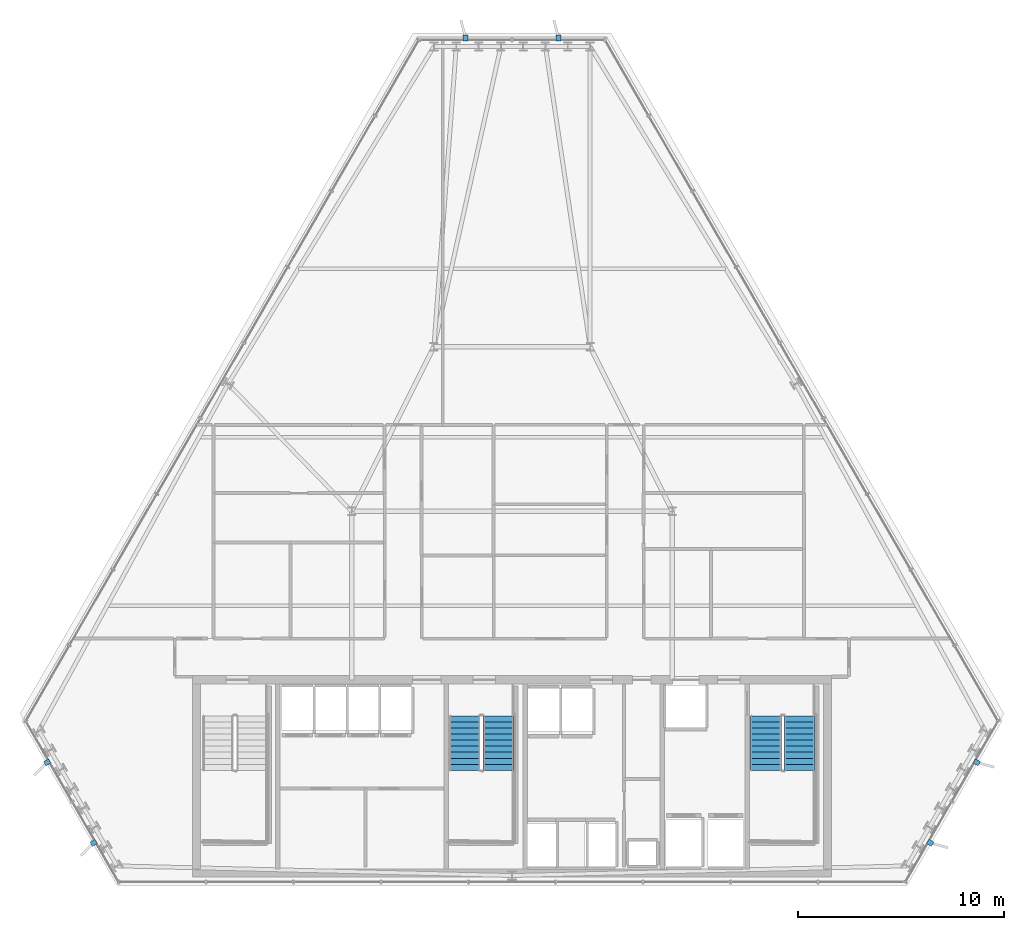
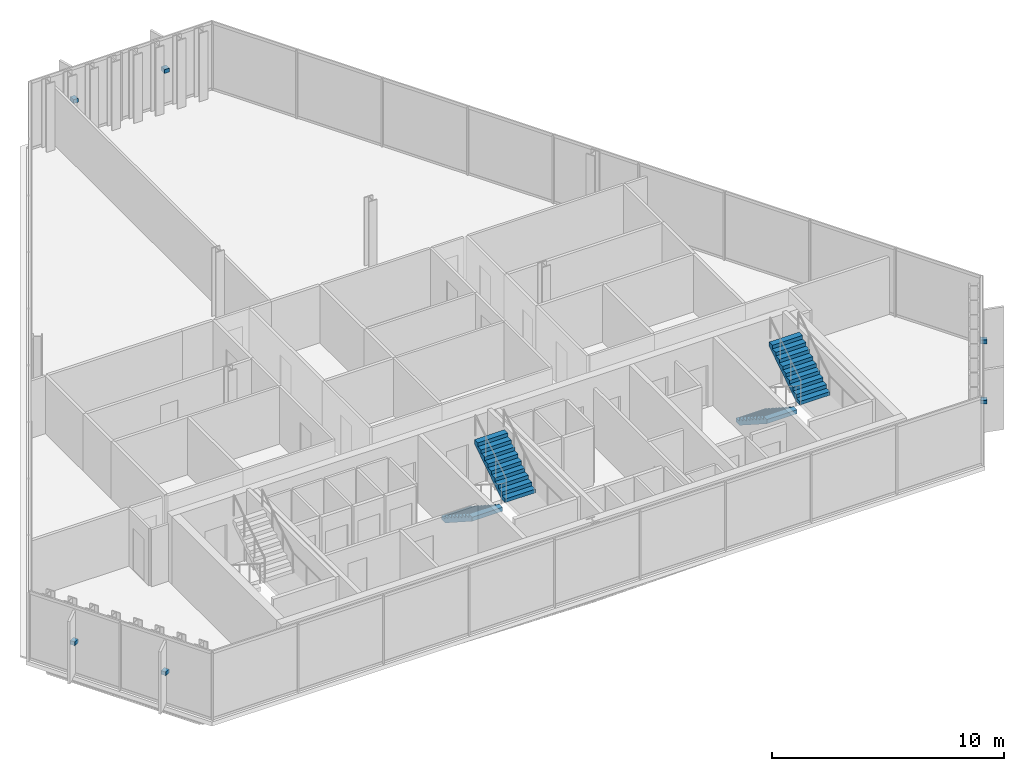
# One storey, part 30 of 34: 6 discrete accessories, 4 stair flights, 2 elements without a shape of their own.
"""IFC4 building model written with IfcOpenShell, lengths in metres."""

import ifcopenshell
import ifcopenshell.guid

model = None  # the IFC model being written
_history = None  # IfcOwnerHistory: only IFC2X3 demands one
_inside = {}  # id of a spatial element -> (the spatial element, [elements in it])
_under = {}  # id of a project, library or spatial element -> (it, [spatial elements below it])
_declared = {}  # id of a project -> (the project, [libraries it declares])
_typed = {}  # id of a type object -> (the type object, [elements of that type])
_made_of = {}  # id of a material, layer set ... -> (it, [elements and type objects made of it])


def new_model(schema):
    """Start an empty IFC model of exactly this schema.

    Asked for "IFC4X3", IfcOpenShell would pick the latest addendum, in which some entities
    have other attributes; the version numbers below select the first issue.
    IFC2X3 requires an IfcOwnerHistory on every rooted entity: one is made here for all.
    """
    global model, _history
    if schema == "IFC4X3":
        model = ifcopenshell.file(schema_version=(4, 3, 0, 0))
    else:
        model = ifcopenshell.file(schema=schema)
    _inside.clear()
    _under.clear()
    _declared.clear()
    _typed.clear()
    _made_of.clear()
    _history = None
    if model.schema == "IFC2X3":
        org = make("IfcOrganization", Name="unknown")
        user = make(
            "IfcPersonAndOrganization",
            ThePerson=make("IfcPerson", FamilyName="unknown"),
            TheOrganization=org,
        )
        app = make(
            "IfcApplication",
            ApplicationDeveloper=org,
            Version="unknown",
            ApplicationFullName="unknown",
            ApplicationIdentifier="unknown",
        )
        _history = make(
            "IfcOwnerHistory",
            OwningUser=user,
            OwningApplication=app,
            ChangeAction="ADDED",
            CreationDate=0,
        )
    return model


def make(cls, **values):
    """One entity of the class cls with the attributes given. An attribute that is None is left unset."""
    return model.create_entity(
        cls, **{name: value for name, value in values.items() if value is not None}
    )


def rooted(cls, **values):
    """An entity with a GlobalId (a new one), such as an element, a storey or a relation."""
    return make(cls, GlobalId=ifcopenshell.guid.new(), OwnerHistory=_history, **values)


def si_unit(unit_type, name, prefix=None):
    """IfcSIUnit, for example si_unit("LENGTHUNIT", "METRE", prefix="MILLI")."""
    return make("IfcSIUnit", UnitType=unit_type, Prefix=prefix, Name=name)


def assignment(units):
    """IfcUnitAssignment: the units of a project."""
    return None if units is None else make("IfcUnitAssignment", Units=units)


def point(xyz):
    """IfcCartesianPoint."""
    return None if xyz is None else make("IfcCartesianPoint", Coordinates=xyz)


def direction(xyz):
    """IfcDirection."""
    return None if xyz is None else make("IfcDirection", DirectionRatios=xyz)


def frame(location, z_axis=None, x_axis=None):
    """IfcAxis2Placement3D, a coordinate frame: its origin and axes. An axis left out is left unset."""
    return make(
        "IfcAxis2Placement3D",
        Location=point(location),
        Axis=direction(z_axis),
        RefDirection=direction(x_axis),
    )


def frame_2d(location, x_axis=None):
    """IfcAxis2Placement2D, a coordinate frame in the plane: its origin and x axis."""
    return make(
        "IfcAxis2Placement2D", Location=point(location), RefDirection=direction(x_axis)
    )


def origin():
    """The frame at (0, 0, 0) with its axes left unset."""
    return frame((0.0, 0.0, 0.0))


def origin_2d():
    """The frame at (0, 0) in the plane with its x axis left unset."""
    return frame_2d((0.0, 0.0))


def place(relative_to, where):
    """IfcLocalPlacement: puts the frame where relative to a parent placement (None: the world)."""
    return make(
        "IfcLocalPlacement", PlacementRelTo=relative_to, RelativePlacement=where
    )


def context(
    kind, dimensions, precision=None, world=None, true_north=None, identifier=None
):
    """IfcGeometricRepresentationContext, for example the 3D "Model" context."""
    return make(
        "IfcGeometricRepresentationContext",
        ContextIdentifier=identifier,
        ContextType=kind,
        CoordinateSpaceDimension=dimensions,
        Precision=precision,
        WorldCoordinateSystem=world,
        TrueNorth=true_north,
    )


def subcontext(parent, identifier, kind, view, scale=None):
    """IfcGeometricRepresentationSubContext, for example "Body" below "Model"."""
    return make(
        "IfcGeometricRepresentationSubContext",
        ContextIdentifier=identifier,
        ContextType=kind,
        ParentContext=parent,
        TargetScale=scale,
        TargetView=view,
    )


def project(units=None, contexts=None):
    """IfcProject with its units and contexts."""
    return rooted(
        "IfcProject",
        Name="project",
        RepresentationContexts=contexts,
        UnitsInContext=assignment(units),
    )


def spatial(cls, under=None, at=None, **own):
    """A site, building, storey or space (cls), placed at a placement, below another one or the project."""
    s = rooted(cls, ObjectPlacement=at, **own)
    if under is not None:
        _under.setdefault(under.id(), (under, []))[1].append(s)
    return s


def polyline(points):
    """IfcPolyline through the points."""
    return make("IfcPolyline", Points=[point(p) for p in points])


def profile(cls, at=None, kind="AREA", **sizes):
    """A parametric profile (cls). Its sizes go by their IFC names, for example OverallWidth=200.0."""
    return make(cls, ProfileType=kind, Position=at, **sizes)


def rectangle(**sizes):
    """IfcRectangleProfileDef."""
    return profile("IfcRectangleProfileDef", **sizes)


def outline(outer, holes=None, kind="AREA"):
    """IfcArbitraryClosedProfileDef: a profile drawn as a closed curve; with holes, ...WithVoids."""
    if holes is None:
        return make("IfcArbitraryClosedProfileDef", ProfileType=kind, OuterCurve=outer)
    return make(
        "IfcArbitraryProfileDefWithVoids",
        ProfileType=kind,
        OuterCurve=outer,
        InnerCurves=holes,
    )


def extrude(swept, where, along, depth):
    """IfcExtrudedAreaSolid: the profile swept, set in the frame where, extruded along a direction by depth."""
    return make(
        "IfcExtrudedAreaSolid",
        SweptArea=swept,
        Position=where,
        ExtrudedDirection=direction(along),
        Depth=depth,
    )


def shape(context_of_items, identifier, shape_type, items):
    """IfcShapeRepresentation: the items that make up one representation, for example the "Body"."""
    return make(
        "IfcShapeRepresentation",
        ContextOfItems=context_of_items,
        RepresentationIdentifier=identifier,
        RepresentationType=shape_type,
        Items=items,
    )


def material(Name=None, Category=None):
    """IfcMaterial."""
    return make("IfcMaterial", Name=Name, Category=Category)


def made_of(thing, what):
    """Note that an element or type object is made of a material, layer set ...; save() writes the relation."""
    if what is not None:
        _made_of.setdefault(what.id(), (what, []))[1].append(thing)
    return thing


def type_object(cls, material=None, **own):
    """A type object (cls), such as IfcWallType, which elements share."""
    return made_of(rooted(cls, **own), material)


def element(
    cls,
    number,
    at=None,
    inside=None,
    cuts=None,
    type_object=None,
    material=None,
    context=None,
    identifier="Body",
    shape_type=None,
    held_by="IfcProductDefinitionShape",
    body=None,
    shapes=None,
    **own,
):
    """One element of the class cls, such as IfcWall. Its Tag is "e" and its number.

    at: its placement. inside: the storey or other place that contains it. cuts: it is an
    opening in that element (IfcRelVoidsElement). A single representation is given by context,
    identifier, shape_type and body (its items); several are given by shapes. held_by: the class
    of the entity that holds the representations. save() writes the other relations.
    """
    e = rooted(cls, Tag="e%d" % number, ObjectPlacement=at, **own)
    if body is not None:
        shapes = [shape(context, identifier, shape_type, body)]
    if shapes is not None:
        e.Representation = make(held_by, Representations=shapes)
    if inside is not None:
        _inside.setdefault(inside.id(), (inside, []))[1].append(e)
    if cuts is not None:
        rooted(
            "IfcRelVoidsElement", RelatingBuildingElement=cuts, RelatedOpeningElement=e
        )
    if type_object is not None:
        _typed.setdefault(type_object.id(), (type_object, []))[1].append(e)
    return made_of(e, material)


def aggregate(whole, parts):
    """IfcRelAggregates: a whole, such as a stair, and the parts it consists of."""
    return rooted("IfcRelAggregates", RelatingObject=whole, RelatedObjects=parts)


def save(model, path):
    """Write the relations noted so far, then the file.

    IfcRelAggregates (storeys below a building ...), IfcRelContainedInSpatialStructure (elements
    in a storey), IfcRelDefinesByType, IfcRelAssociatesMaterial and IfcRelDeclares: one each for
    every whole, place, type object, material and project.
    """
    for whole, parts in _under.values():
        aggregate(whole, parts)
    for where, things in _inside.values():
        rooted(
            "IfcRelContainedInSpatialStructure",
            RelatedElements=things,
            RelatingStructure=where,
        )
    for kind, things in _typed.values():
        rooted("IfcRelDefinesByType", RelatedObjects=things, RelatingType=kind)
    for what, things in _made_of.values():
        rooted("IfcRelAssociatesMaterial", RelatedObjects=things, RelatingMaterial=what)
    for by, libraries in _declared.values():
        rooted("IfcRelDeclares", RelatingContext=by, RelatedDefinitions=libraries)
    model.write(path)


model = new_model("IFC4")

# Units and contexts
model_context = context("Model", 3, precision=1e-05, world=origin(), true_north=direction((0.0, 1.0)))
body_context = subcontext(model_context, "Body", "Model", "MODEL_VIEW")
ifc_project = project(units=[si_unit("LENGTHUNIT", "METRE"), si_unit("AREAUNIT", "SQUARE_METRE"), si_unit("VOLUMEUNIT", "CUBIC_METRE"), si_unit("PLANEANGLEUNIT", "RADIAN"), si_unit("MASSUNIT", "GRAM", prefix="KILO")], contexts=[model_context])

# Site, building, storey
site_placement = place(None, origin())
site = spatial("IfcSite", under=ifc_project, at=site_placement, CompositionType="ELEMENT")
building_placement = place(site_placement, origin())
building = spatial("IfcBuilding", under=site, at=building_placement, Name="Ndaravel Arena Tower", CompositionType="ELEMENT")
storey_placement = place(building_placement, frame((0.0, 0.0, 191.60009765625)))
storey = spatial("IfcBuildingStorey", under=building, at=storey_placement, Name="L46", CompositionType="ELEMENT", Elevation=191.60009765625)

# Stair, stair flights
ifc_material_1 = material(Name="Concrete C40/50", Category="concrete")
stair_type = type_object("IfcStairType", Name="STAIR-CORE-HT", PredefinedType="HALF_TURN_STAIR", material=ifc_material_1)
stair_1_placement = place(storey_placement, origin())
stair_1 = element("IfcStair", 1, at=stair_1_placement, inside=storey, type_object=stair_type, Name="L46 ST-2", PredefinedType="HALF_TURN_STAIR")
ifc_material_2 = material(Name="Concrete C40/50", Category="concrete")
stair_flight_type = type_object("IfcStairFlightType", Name="SFLIGHT-CORE-1680", PredefinedType="STRAIGHT", material=ifc_material_2)
stair_flight_1_placement = place(storey_placement, frame((39.699951171875, 13.25, 0.0), z_axis=(0.0, 0.0, 1.0), x_axis=(0.0, -1.0, 0.0)))
stair_flight_1 = element("IfcStairFlight", 2, at=stair_flight_1_placement, type_object=stair_flight_type, Name="ST-2 flight 1", NumberOfRisers=10, NumberOfTreads=9, PredefinedType="STRAIGHT", RiserHeight=0.19, TreadLength=0.295, context=body_context, shape_type="SweptSolid", body=[
    extrude(outline(polyline([(0.0, 0.0), (0.0, 0.18994140625), (0.294921875, 0.18994140625), (0.294921875, 0.3798828125), (0.590087890625, 0.3798828125), (0.590087890625, 0.570068359375), (0.885009765625, 0.570068359375), (0.885009765625, 0.760009765625), (1.179931640625, 0.760009765625), (1.179931640625, 0.949951171875), (1.47509765625, 0.949951171875), (1.47509765625, 1.139892578125), (1.77001953125, 1.139892578125), (1.77001953125, 1.330078125), (2.06494140625, 1.330078125), (2.06494140625, 1.52001953125), (2.360107421875, 1.52001953125), (2.360107421875, 1.7099609375), (2.655029296875, 1.7099609375), (2.655029296875, 1.89990234375), (2.655029296875, 1.49609375), (0.332275390625, 0.0), (0.0, 0.0)])), frame((0.0, 0.75, 0.0), z_axis=(0.0, -1.0, 0.0), x_axis=(1.0, 0.0, 0.0)), (0.0, 0.0, 1.0), 1.5),
])
stair_flight_2_placement = place(storey_placement, frame((41.340087890625, 10.594970703125, 1.89990234375), z_axis=(0.0, 0.0, 1.0), x_axis=(0.0, 1.0, 0.0)))
stair_flight_2 = element("IfcStairFlight", 3, at=stair_flight_2_placement, type_object=stair_flight_type, Name="ST-2 flight 2", NumberOfRisers=10, NumberOfTreads=9, PredefinedType="STRAIGHT", RiserHeight=0.19, TreadLength=0.295, context=body_context, shape_type="SweptSolid", body=[
    extrude(outline(polyline([(0.0, 0.0), (0.0, 0.18994140625), (0.294921875, 0.18994140625), (0.294921875, 0.3798828125), (0.590087890625, 0.3798828125), (0.590087890625, 0.570068359375), (0.885009765625, 0.570068359375), (0.885009765625, 0.760009765625), (1.179931640625, 0.760009765625), (1.179931640625, 0.949951171875), (1.47509765625, 0.949951171875), (1.47509765625, 1.139892578125), (1.77001953125, 1.139892578125), (1.77001953125, 1.330078125), (2.06494140625, 1.330078125), (2.06494140625, 1.52001953125), (2.360107421875, 1.52001953125), (2.360107421875, 1.7099609375), (2.655029296875, 1.7099609375), (2.655029296875, 1.89990234375), (2.655029296875, 1.49609375), (0.332275390625, 0.0), (0.0, 0.0)])), frame((0.0, 0.75, 0.0), z_axis=(0.0, -1.0, 0.0), x_axis=(1.0, 0.0, 0.0)), (0.0, 0.0, 1.0), 1.5),
])
aggregate(stair_1, [stair_flight_1, stair_flight_2])

stair_2_placement = place(storey_placement, origin())
stair_2 = element("IfcStair", 4, at=stair_2_placement, inside=storey, type_object=stair_type, Name="L46 ST-3", PredefinedType="HALF_TURN_STAIR")
stair_flight_3_placement = place(storey_placement, frame((54.35009765625, 13.25, 0.0), z_axis=(0.0, 0.0, 1.0), x_axis=(0.0, -1.0, 0.0)))
stair_flight_3 = element("IfcStairFlight", 5, at=stair_flight_3_placement, type_object=stair_flight_type, Name="ST-3 flight 1", NumberOfRisers=10, NumberOfTreads=9, PredefinedType="STRAIGHT", RiserHeight=0.19, TreadLength=0.295, context=body_context, shape_type="SweptSolid", body=[
    extrude(outline(polyline([(0.0, 0.0), (0.0, 0.18994140625), (0.294921875, 0.18994140625), (0.294921875, 0.3798828125), (0.590087890625, 0.3798828125), (0.590087890625, 0.570068359375), (0.885009765625, 0.570068359375), (0.885009765625, 0.760009765625), (1.179931640625, 0.760009765625), (1.179931640625, 0.949951171875), (1.47509765625, 0.949951171875), (1.47509765625, 1.139892578125), (1.77001953125, 1.139892578125), (1.77001953125, 1.330078125), (2.06494140625, 1.330078125), (2.06494140625, 1.52001953125), (2.360107421875, 1.52001953125), (2.360107421875, 1.7099609375), (2.655029296875, 1.7099609375), (2.655029296875, 1.89990234375), (2.655029296875, 1.49609375), (0.332275390625, 0.0), (0.0, 0.0)])), frame((0.0, 0.75, 0.0), z_axis=(0.0, -1.0, 0.0), x_axis=(1.0, 0.0, 0.0)), (0.0, 0.0, 1.0), 1.5),
])
stair_flight_4_placement = place(storey_placement, frame((55.989990234375, 10.594970703125, 1.89990234375), z_axis=(0.0, 0.0, 1.0), x_axis=(0.0, 1.0, 0.0)))
stair_flight_4 = element("IfcStairFlight", 6, at=stair_flight_4_placement, type_object=stair_flight_type, Name="ST-3 flight 2", NumberOfRisers=10, NumberOfTreads=9, PredefinedType="STRAIGHT", RiserHeight=0.19, TreadLength=0.295, context=body_context, shape_type="SweptSolid", body=[
    extrude(outline(polyline([(0.0, 0.0), (0.0, 0.18994140625), (0.294921875, 0.18994140625), (0.294921875, 0.3798828125), (0.590087890625, 0.3798828125), (0.590087890625, 0.570068359375), (0.885009765625, 0.570068359375), (0.885009765625, 0.760009765625), (1.179931640625, 0.760009765625), (1.179931640625, 0.949951171875), (1.47509765625, 0.949951171875), (1.47509765625, 1.139892578125), (1.77001953125, 1.139892578125), (1.77001953125, 1.330078125), (2.06494140625, 1.330078125), (2.06494140625, 1.52001953125), (2.360107421875, 1.52001953125), (2.360107421875, 1.7099609375), (2.655029296875, 1.7099609375), (2.655029296875, 1.89990234375), (2.655029296875, 1.49609375), (0.332275390625, 0.0), (0.0, 0.0)])), frame((0.0, 0.75, 0.0), z_axis=(0.0, -1.0, 0.0), x_axis=(1.0, 0.0, 0.0)), (0.0, 0.0, 1.0), 1.5),
])
aggregate(stair_2, [stair_flight_3, stair_flight_4])

# Discrete accessories
ifc_material_3 = material(Name="Steel S355", Category="steel")
discrete_accessory_type = type_object("IfcDiscreteAccessoryType", Name="ACC-BRACKET-FIN", PredefinedType="BRACKET", material=ifc_material_3)
for number, where, z_axis, x_axis, name in (
    (7, (62.34619140625, 7.068603515625, 1.68994140625), (0.0, 0.0, 1.0), (0.866025403784, -0.5, 0.0), "L46 Mazeras Stone Solar Fin E2.1 Bracket"),
    (8, (64.607666015625, 10.985595703125, 1.68994140625), (0.0, 0.0, 1.0), (0.866025403784, -0.5, 0.0), "L46 Mazeras Stone Solar Fin E2.2 Bracket"),
    (9, (44.261474609375, 46.22607421875, 1.68994140625), (0.0, 0.0, 1.0), (0.0, 1.0, 0.0), "L46 Mazeras Stone Solar Fin E4.1 Bracket"),
    (10, (39.738525390625, 46.22607421875, 1.68994140625), (0.0, 0.0, 1.0), (0.0, 1.0, 0.0), "L46 Mazeras Stone Solar Fin E4.2 Bracket"),
    (11, (19.392333984375, 10.985595703125, 1.68994140625), (0.0, 0.0, 1.0), (-0.866025403784, -0.5, 0.0), "L46 Mazeras Stone Solar Fin E6.1 Bracket"),
    (12, (21.65380859375, 7.068603515625, 1.68994140625), (0.0, 0.0, 1.0), (-0.866025403784, -0.5, 0.0), "L46 Mazeras Stone Solar Fin E6.2 Bracket"),
):
    element("IfcDiscreteAccessory", number, at=place(storey_placement, frame(where, z_axis=z_axis, x_axis=x_axis)), inside=storey, type_object=discrete_accessory_type, Name=name, PredefinedType="BRACKET", context=body_context, shape_type="SweptSolid", body=[
        extrude(rectangle(XDim=0.280029296875, YDim=0.239990234375, at=origin_2d()), origin(), (0.0, 0.0, 1.0), 0.199951171875),
    ])

save(model, "model.ifc")
